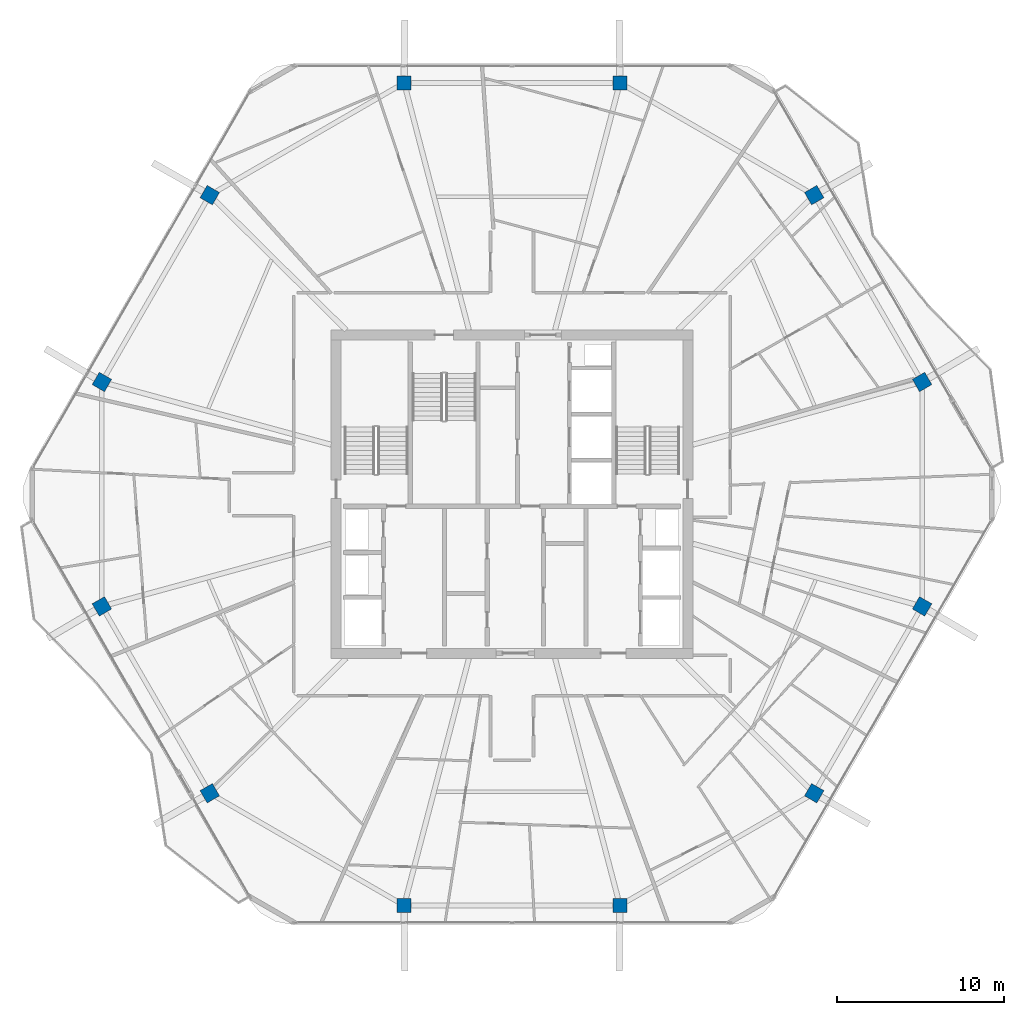
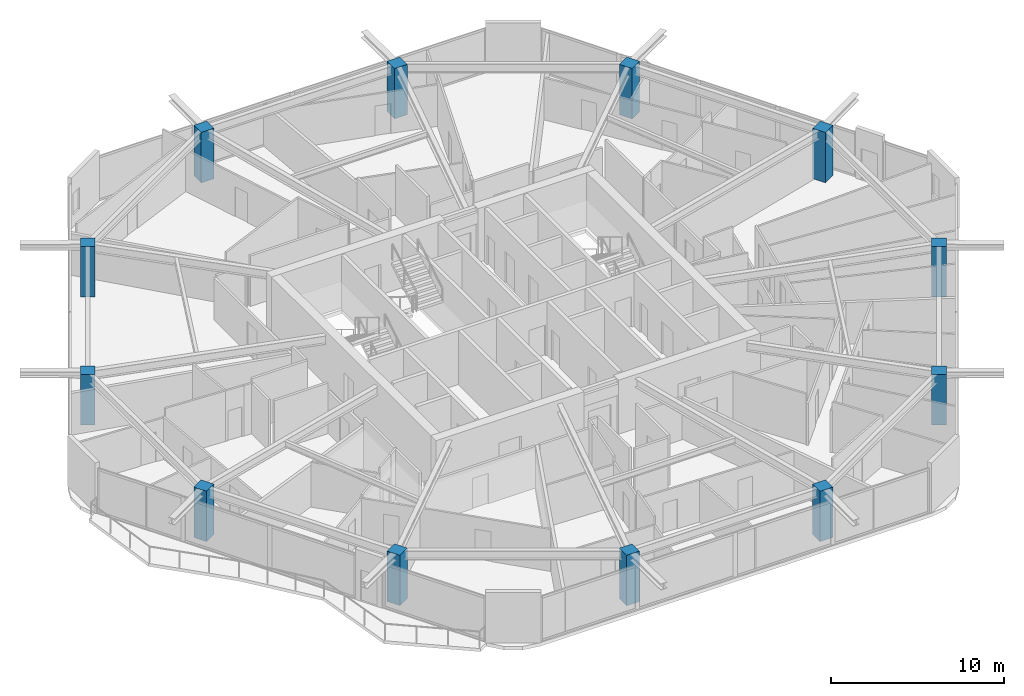
# One storey, part 1 of 26: 12 columns.
"""IFC4 building model written with IfcOpenShell, lengths in metres."""

from ifc_helpers import new_model, si_unit, direction, frame, origin, origin_2d, place, context, subcontext, project, spatial, rectangle, extrude, material, material_profile, profile_set, type_object, element, save


model = new_model("IFC4")

# Units and contexts
model_context = context("Model", 3, precision=1e-05, world=origin(), true_north=direction((0.0, 1.0)))
body_context = subcontext(model_context, "Body", "Model", "MODEL_VIEW")
ifc_project = project(units=[si_unit("LENGTHUNIT", "METRE"), si_unit("AREAUNIT", "SQUARE_METRE"), si_unit("VOLUMEUNIT", "CUBIC_METRE"), si_unit("PLANEANGLEUNIT", "RADIAN"), si_unit("MASSUNIT", "GRAM", prefix="KILO")], contexts=[model_context])

# Site, building, storey
site_placement = place(None, origin())
site = spatial("IfcSite", under=ifc_project, at=site_placement, CompositionType="ELEMENT")
building_placement = place(site_placement, origin())
building = spatial("IfcBuilding", under=site, at=building_placement, Name="Zuhravey Tower", CompositionType="ELEMENT")
storey_placement = place(building_placement, frame((0.0, 0.0, 295.800048828125)))
storey = spatial("IfcBuildingStorey", under=building, at=storey_placement, Name="L75", CompositionType="ELEMENT", Elevation=295.800048828125)

# Columns
ifc_material = material(Name="Concrete C50/60", Category="concrete")
ifc_material_profile = material_profile(ifc_material, rectangle(XDim=0.85009765625, YDim=0.85009765625, at=origin_2d()), Name="RC-850x850")
ifc_profile_set = profile_set([ifc_material_profile], Name="Concrete C50/60")
column_type = type_object("IfcColumnType", Name="Zone 3 Upper Column 850x850", PredefinedType="COLUMN", material=ifc_profile_set)
for number, where, z_axis, x_axis, name in (
    (1, (60.484619140625, 38.698974609375, 0.0), (0.0, 0.0, 1.0), (-0.5, 0.866025403784, 0.0), "L75 Perimeter Column PC01"),
    (2, (54.043701171875, 49.854736328125, 0.0), (0.0, 0.0, 1.0), (-0.5, 0.866025403784, 0.0), "L75 Perimeter Column PC02"),
    (3, (42.44091796875, 56.5537109375, 0.0), (0.0, 0.0, 1.0), (-1.0, 0.0, 0.0), "L75 Perimeter Column PC03"),
    (4, (29.55908203125, 56.5537109375, 0.0), (0.0, 0.0, 1.0), (-1.0, 0.0, 0.0), "L75 Perimeter Column PC04"),
    (5, (17.956298828125, 49.854736328125, 0.0), (0.0, 0.0, 1.0), (-0.5, -0.866025403784, 0.0), "L75 Perimeter Column PC05"),
    (6, (11.515380859375, 38.698974609375, 0.0), (0.0, 0.0, 1.0), (-0.5, -0.866025403784, 0.0), "L75 Perimeter Column PC06"),
    (7, (11.515380859375, 25.301025390625, 0.0), (0.0, 0.0, 1.0), (0.5, -0.866025403784, 0.0), "L75 Perimeter Column PC07"),
    (8, (17.956298828125, 14.145263671875, 0.0), (0.0, 0.0, 1.0), (0.5, -0.866025403784, 0.0), "L75 Perimeter Column PC08"),
    (9, (29.55908203125, 7.4462890625, 0.0), (0.0, 0.0, 1.0), (1.0, 0.0, 0.0), "L75 Perimeter Column PC09"),
    (10, (42.44091796875, 7.4462890625, 0.0), (0.0, 0.0, 1.0), (1.0, 0.0, 0.0), "L75 Perimeter Column PC10"),
    (11, (54.043701171875, 14.145263671875, 0.0), (0.0, 0.0, 1.0), (0.5, 0.866025403784, 0.0), "L75 Perimeter Column PC11"),
    (12, (60.484619140625, 25.301025390625, 0.0), (0.0, 0.0, 1.0), (0.5, 0.866025403784, 0.0), "L75 Perimeter Column PC12"),
):
    element("IfcColumn", number, at=place(storey_placement, frame(where, z_axis=z_axis, x_axis=x_axis)), inside=storey, type_object=column_type, Name=name, PredefinedType="COLUMN", context=body_context, shape_type="SweptSolid", body=[
        extrude(rectangle(XDim=0.85009765625, YDim=0.85009765625, at=origin_2d()), origin(), (0.0, 0.0, 1.0), 3.550048828125),
    ])

save(model, "model.ifc")
